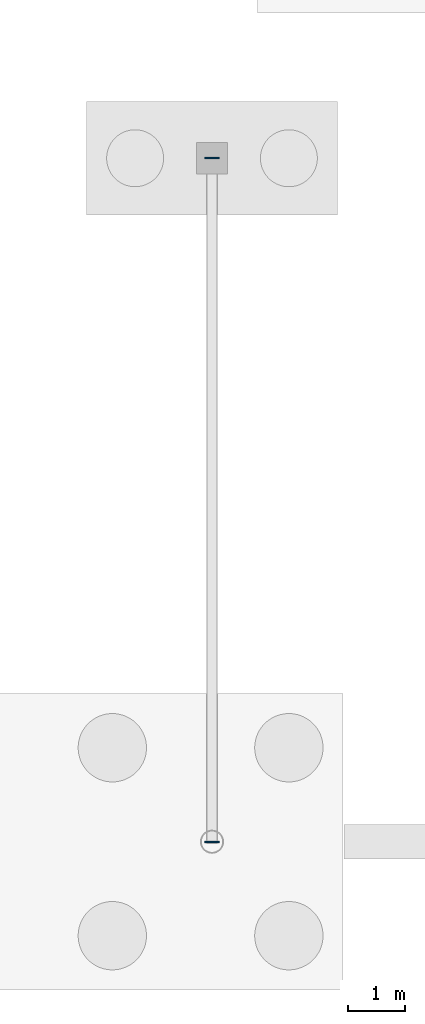
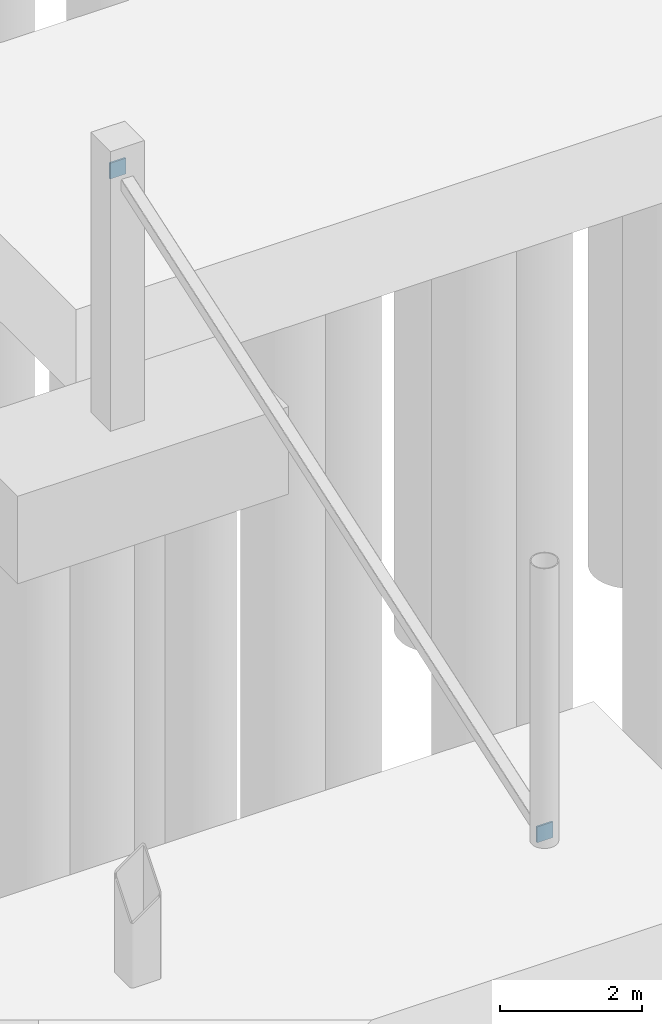
# One storey, part 23 of 34: 2 plates.
"""IFC4 building model written with IfcOpenShell, lengths in metres."""

import ifcopenshell
import ifcopenshell.guid

model = None  # the IFC model being written
_history = None  # IfcOwnerHistory: only IFC2X3 demands one
_inside = {}  # id of a spatial element -> (the spatial element, [elements in it])
_under = {}  # id of a project, library or spatial element -> (it, [spatial elements below it])
_declared = {}  # id of a project -> (the project, [libraries it declares])
_typed = {}  # id of a type object -> (the type object, [elements of that type])
_made_of = {}  # id of a material, layer set ... -> (it, [elements and type objects made of it])


def new_model(schema):
    """Start an empty IFC model of exactly this schema.

    Asked for "IFC4X3", IfcOpenShell would pick the latest addendum, in which some entities
    have other attributes; the version numbers below select the first issue.
    IFC2X3 requires an IfcOwnerHistory on every rooted entity: one is made here for all.
    """
    global model, _history
    if schema == "IFC4X3":
        model = ifcopenshell.file(schema_version=(4, 3, 0, 0))
    else:
        model = ifcopenshell.file(schema=schema)
    _inside.clear()
    _under.clear()
    _declared.clear()
    _typed.clear()
    _made_of.clear()
    _history = None
    if model.schema == "IFC2X3":
        org = make("IfcOrganization", Name="unknown")
        user = make(
            "IfcPersonAndOrganization",
            ThePerson=make("IfcPerson", FamilyName="unknown"),
            TheOrganization=org,
        )
        app = make(
            "IfcApplication",
            ApplicationDeveloper=org,
            Version="unknown",
            ApplicationFullName="unknown",
            ApplicationIdentifier="unknown",
        )
        _history = make(
            "IfcOwnerHistory",
            OwningUser=user,
            OwningApplication=app,
            ChangeAction="ADDED",
            CreationDate=0,
        )
    return model


def make(cls, **values):
    """One entity of the class cls with the attributes given. An attribute that is None is left unset."""
    return model.create_entity(
        cls, **{name: value for name, value in values.items() if value is not None}
    )


def rooted(cls, **values):
    """An entity with a GlobalId (a new one), such as an element, a storey or a relation."""
    return make(cls, GlobalId=ifcopenshell.guid.new(), OwnerHistory=_history, **values)


def si_unit(unit_type, name, prefix=None):
    """IfcSIUnit, for example si_unit("LENGTHUNIT", "METRE", prefix="MILLI")."""
    return make("IfcSIUnit", UnitType=unit_type, Prefix=prefix, Name=name)


def assignment(units):
    """IfcUnitAssignment: the units of a project."""
    return None if units is None else make("IfcUnitAssignment", Units=units)


def point(xyz):
    """IfcCartesianPoint."""
    return None if xyz is None else make("IfcCartesianPoint", Coordinates=xyz)


def direction(xyz):
    """IfcDirection."""
    return None if xyz is None else make("IfcDirection", DirectionRatios=xyz)


def frame(location, z_axis=None, x_axis=None):
    """IfcAxis2Placement3D, a coordinate frame: its origin and axes. An axis left out is left unset."""
    return make(
        "IfcAxis2Placement3D",
        Location=point(location),
        Axis=direction(z_axis),
        RefDirection=direction(x_axis),
    )


def frame_2d(location, x_axis=None):
    """IfcAxis2Placement2D, a coordinate frame in the plane: its origin and x axis."""
    return make(
        "IfcAxis2Placement2D", Location=point(location), RefDirection=direction(x_axis)
    )


def origin():
    """The frame at (0, 0, 0) with its axes left unset."""
    return frame((0.0, 0.0, 0.0))


def origin_2d():
    """The frame at (0, 0) in the plane with its x axis left unset."""
    return frame_2d((0.0, 0.0))


def place(relative_to, where):
    """IfcLocalPlacement: puts the frame where relative to a parent placement (None: the world)."""
    return make(
        "IfcLocalPlacement", PlacementRelTo=relative_to, RelativePlacement=where
    )


def context(
    kind, dimensions, precision=None, world=None, true_north=None, identifier=None
):
    """IfcGeometricRepresentationContext, for example the 3D "Model" context."""
    return make(
        "IfcGeometricRepresentationContext",
        ContextIdentifier=identifier,
        ContextType=kind,
        CoordinateSpaceDimension=dimensions,
        Precision=precision,
        WorldCoordinateSystem=world,
        TrueNorth=true_north,
    )


def subcontext(parent, identifier, kind, view, scale=None):
    """IfcGeometricRepresentationSubContext, for example "Body" below "Model"."""
    return make(
        "IfcGeometricRepresentationSubContext",
        ContextIdentifier=identifier,
        ContextType=kind,
        ParentContext=parent,
        TargetScale=scale,
        TargetView=view,
    )


def project(units=None, contexts=None):
    """IfcProject with its units and contexts."""
    return rooted(
        "IfcProject",
        Name="project",
        RepresentationContexts=contexts,
        UnitsInContext=assignment(units),
    )


def spatial(cls, under=None, at=None, **own):
    """A site, building, storey or space (cls), placed at a placement, below another one or the project."""
    s = rooted(cls, ObjectPlacement=at, **own)
    if under is not None:
        _under.setdefault(under.id(), (under, []))[1].append(s)
    return s


def profile(cls, at=None, kind="AREA", **sizes):
    """A parametric profile (cls). Its sizes go by their IFC names, for example OverallWidth=200.0."""
    return make(cls, ProfileType=kind, Position=at, **sizes)


def rectangle(**sizes):
    """IfcRectangleProfileDef."""
    return profile("IfcRectangleProfileDef", **sizes)


def extrude(swept, where, along, depth):
    """IfcExtrudedAreaSolid: the profile swept, set in the frame where, extruded along a direction by depth."""
    return make(
        "IfcExtrudedAreaSolid",
        SweptArea=swept,
        Position=where,
        ExtrudedDirection=direction(along),
        Depth=depth,
    )


def shape(context_of_items, identifier, shape_type, items):
    """IfcShapeRepresentation: the items that make up one representation, for example the "Body"."""
    return make(
        "IfcShapeRepresentation",
        ContextOfItems=context_of_items,
        RepresentationIdentifier=identifier,
        RepresentationType=shape_type,
        Items=items,
    )


def material(Name=None, Category=None):
    """IfcMaterial."""
    return make("IfcMaterial", Name=Name, Category=Category)


def layer(
    of_material, thickness, ventilated=None, Name=None, Category=None, Priority=None
):
    """IfcMaterialLayer: one layer of a wall or slab, of a material (None: an air gap)."""
    return make(
        "IfcMaterialLayer",
        Material=of_material,
        LayerThickness=thickness,
        IsVentilated=ventilated,
        Name=Name,
        Category=Category,
        Priority=Priority,
    )


def layer_set(layers, Name=None):
    """IfcMaterialLayerSet."""
    return make("IfcMaterialLayerSet", MaterialLayers=layers, LayerSetName=Name)


def made_of(thing, what):
    """Note that an element or type object is made of a material, layer set ...; save() writes the relation."""
    if what is not None:
        _made_of.setdefault(what.id(), (what, []))[1].append(thing)
    return thing


def type_object(cls, material=None, **own):
    """A type object (cls), such as IfcWallType, which elements share."""
    return made_of(rooted(cls, **own), material)


def element(
    cls,
    number,
    at=None,
    inside=None,
    cuts=None,
    type_object=None,
    material=None,
    context=None,
    identifier="Body",
    shape_type=None,
    held_by="IfcProductDefinitionShape",
    body=None,
    shapes=None,
    **own,
):
    """One element of the class cls, such as IfcWall. Its Tag is "e" and its number.

    at: its placement. inside: the storey or other place that contains it. cuts: it is an
    opening in that element (IfcRelVoidsElement). A single representation is given by context,
    identifier, shape_type and body (its items); several are given by shapes. held_by: the class
    of the entity that holds the representations. save() writes the other relations.
    """
    e = rooted(cls, Tag="e%d" % number, ObjectPlacement=at, **own)
    if body is not None:
        shapes = [shape(context, identifier, shape_type, body)]
    if shapes is not None:
        e.Representation = make(held_by, Representations=shapes)
    if inside is not None:
        _inside.setdefault(inside.id(), (inside, []))[1].append(e)
    if cuts is not None:
        rooted(
            "IfcRelVoidsElement", RelatingBuildingElement=cuts, RelatedOpeningElement=e
        )
    if type_object is not None:
        _typed.setdefault(type_object.id(), (type_object, []))[1].append(e)
    return made_of(e, material)


def aggregate(whole, parts):
    """IfcRelAggregates: a whole, such as a stair, and the parts it consists of."""
    return rooted("IfcRelAggregates", RelatingObject=whole, RelatedObjects=parts)


def save(model, path):
    """Write the relations noted so far, then the file.

    IfcRelAggregates (storeys below a building ...), IfcRelContainedInSpatialStructure (elements
    in a storey), IfcRelDefinesByType, IfcRelAssociatesMaterial and IfcRelDeclares: one each for
    every whole, place, type object, material and project.
    """
    for whole, parts in _under.values():
        aggregate(whole, parts)
    for where, things in _inside.values():
        rooted(
            "IfcRelContainedInSpatialStructure",
            RelatedElements=things,
            RelatingStructure=where,
        )
    for kind, things in _typed.values():
        rooted("IfcRelDefinesByType", RelatedObjects=things, RelatingType=kind)
    for what, things in _made_of.values():
        rooted("IfcRelAssociatesMaterial", RelatedObjects=things, RelatingMaterial=what)
    for by, libraries in _declared.values():
        rooted("IfcRelDeclares", RelatingContext=by, RelatedDefinitions=libraries)
    model.write(path)


model = new_model("IFC4")

# Units and contexts
model_context = context("Model", 3, precision=1e-05, world=origin(), true_north=direction((0.0, 1.0)))
body_context = subcontext(model_context, "Body", "Model", "MODEL_VIEW")
ifc_project = project(units=[si_unit("LENGTHUNIT", "METRE"), si_unit("AREAUNIT", "SQUARE_METRE"), si_unit("VOLUMEUNIT", "CUBIC_METRE"), si_unit("PLANEANGLEUNIT", "RADIAN"), si_unit("MASSUNIT", "GRAM", prefix="KILO")], contexts=[model_context])

# Site, building, storey
site_placement = place(None, origin())
site = spatial("IfcSite", under=ifc_project, at=site_placement, CompositionType="ELEMENT")
building_placement = place(site_placement, origin())
building = spatial("IfcBuilding", under=site, at=building_placement, Name="Larkvane Passage Sports Hall", CompositionType="ELEMENT")
storey_placement = place(building_placement, frame((0.0, 0.0, -4.800048828125)))
storey = spatial("IfcBuildingStorey", under=building, at=storey_placement, Name="B01", CompositionType="ELEMENT", Elevation=-4.800048828125)

# Plates
ifc_material = material(Name="Steel S355JR", Category="steel")
ifc_layer = layer(ifc_material, 0.011962890625)
ifc_layer_set = layer_set([ifc_layer], Name="Steel S355JR")
plate_type = type_object("IfcPlateType", Name="PLT-CAP-12", PredefinedType="SHEET", material=ifc_layer_set)
for number, where, z_axis, x_axis, name in (
    (1, (124.60009765625, 63.59423828125, 0.0126953125), (0.0, 0.0, 1.0), (-1.0, 0.0, 0.0), "Hollow section sealed end cap plate 0585"),
    (2, (124.60009765625, 75.605712890625, 4.116455078125), (0.0, 0.0, 1.0), (-1.0, 0.0, 0.0), "Hollow section sealed end cap plate 0586"),
):
    element("IfcPlate", number, at=place(storey_placement, frame(where, z_axis=z_axis, x_axis=x_axis)), inside=storey, type_object=plate_type, Name=name, PredefinedType="SHEET", context=body_context, shape_type="SweptSolid", body=[
        extrude(rectangle(XDim=0.260009765625, YDim=0.028076171875, at=origin_2d()), origin(), (0.0, 0.0, 1.0), 0.27099609375),
    ])

save(model, "model.ifc")
